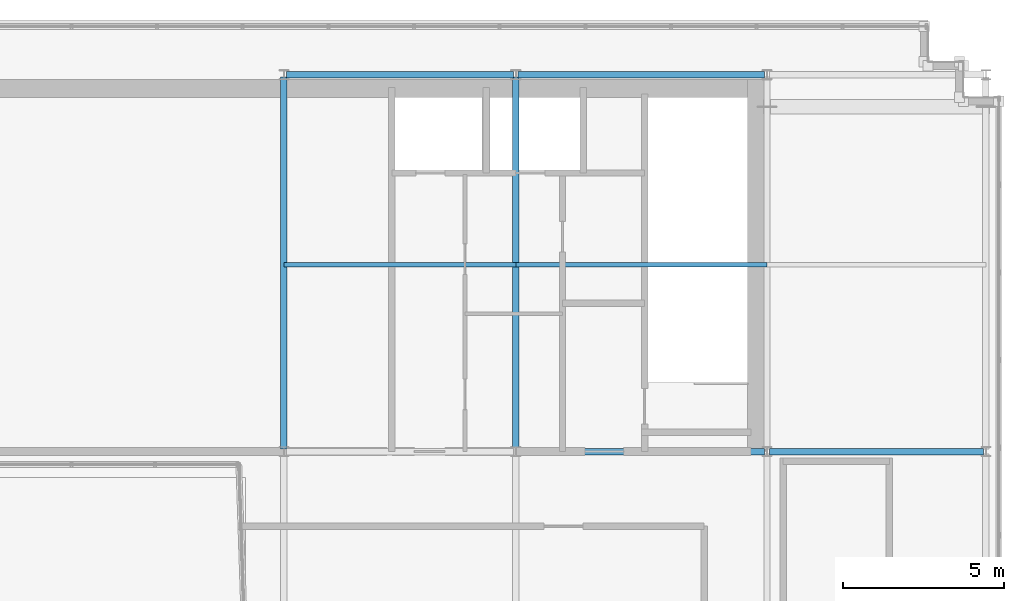
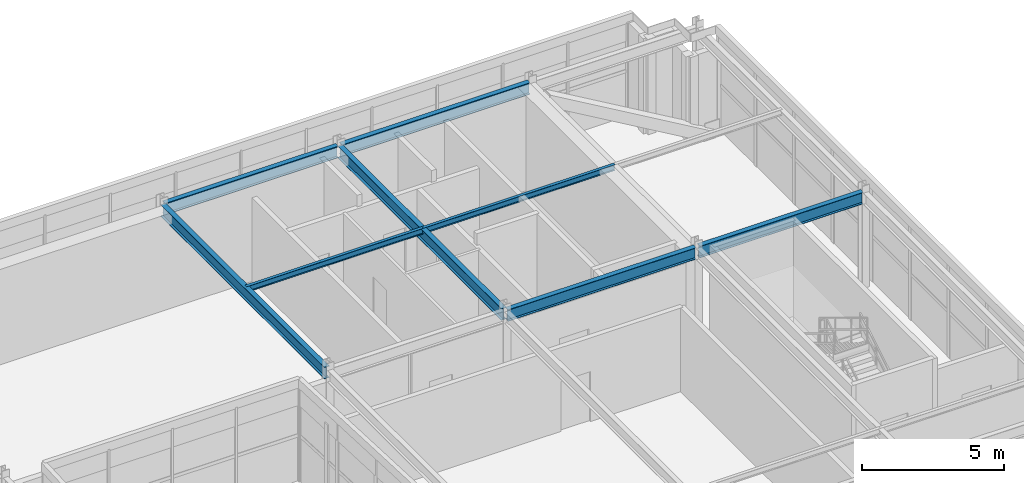
# One storey, part 21 of 37: 6 beams, 2 members.
"""IFC4 building model written with IfcOpenShell, lengths in metres."""

from ifc_helpers import new_model, si_unit, direction, frame, origin, origin_2d, place, context, subcontext, project, spatial, i_section, extrude, source, transform, mapped, material, material_profile, profile_set, type_object, element, save


model = new_model("IFC4")

# Units and contexts
model_context = context("Model", 3, precision=1e-05, world=origin(), true_north=direction((0.0, 1.0)))
body_context = subcontext(model_context, "Body", "Model", "MODEL_VIEW")
ifc_project = project(units=[si_unit("LENGTHUNIT", "METRE"), si_unit("AREAUNIT", "SQUARE_METRE"), si_unit("VOLUMEUNIT", "CUBIC_METRE"), si_unit("PLANEANGLEUNIT", "RADIAN"), si_unit("MASSUNIT", "GRAM", prefix="KILO")], contexts=[model_context])

# Site, building, storey
site_placement = place(None, origin())
site = spatial("IfcSite", under=ifc_project, at=site_placement, CompositionType="ELEMENT")
building_placement = place(site_placement, origin())
building = spatial("IfcBuilding", under=site, at=building_placement, Name="Trelvane Seafront Commons", CompositionType="ELEMENT")
storey_placement = place(building_placement, frame((0.0, 0.0, 303.5)))
storey = spatial("IfcBuildingStorey", under=building, at=storey_placement, Name="L79", CompositionType="ELEMENT", Elevation=303.5)

# Beams
ifc_material = material(Name="Steel SM355 (S355)", Category="steel")
ifc_material_profile_1 = material_profile(ifc_material, i_section(OverallWidth=0.199951171875, OverallDepth=0.5, WebThickness=0.010009765625, FlangeThickness=0.01611328125, at=origin_2d()), Name="H-500x200x10x16")
ifc_profile_set_1 = profile_set([ifc_material_profile_1], Name="Steel SM355 (S355)")
beam_type_1 = type_object("IfcBeamType", Name="STR-CROWN-FRAME-RING", PredefinedType="SPANDREL", material=ifc_profile_set_1)
shared_shape_1 = source(origin(), body_context, "Body", "SweptSolid", [
    extrude(i_section(OverallWidth=0.199951171875, OverallDepth=0.5, WebThickness=0.010009765625, FlangeThickness=0.01611328125, at=origin_2d()), origin(), (0.0, 0.0, 1.0), 6.64990234375),
])
beam_1_placement = place(storey_placement, frame((58.875, 33.39990234375, 3.85009765625), z_axis=(1.0, 0.0, 0.0), x_axis=(0.0, 1.0, 0.0)))
element("IfcBeam", 1, at=beam_1_placement, inside=storey, type_object=beam_type_1, Name="L79 CROWN FRAME Ring Beam G-14", PredefinedType="SPANDREL", context=body_context, shape_type="MappedRepresentation", body=[
    mapped(shared_shape_1, transform((0.0, 0.0, 0.0), x_axis=(1.0, 0.0, 0.0), y_axis=(0.0, 1.0, 0.0), z_axis=(0.0, 0.0, 1.0), scale=1.0)),
])
shared_shape_2 = source(origin(), body_context, "Body", "SweptSolid", [
    extrude(i_section(OverallWidth=0.199951171875, OverallDepth=0.5, WebThickness=0.010009765625, FlangeThickness=0.01611328125, at=origin_2d()), origin(), (0.0, 0.0, 1.0), 7.050048828125),
])
beam_2_placement = place(storey_placement, frame((43.875, 45.10009765625, 3.85009765625), z_axis=(1.0, 0.0, 0.0), x_axis=(0.0, 1.0, 0.0)))
element("IfcBeam", 2, at=beam_2_placement, inside=storey, type_object=beam_type_1, Name="L79 CROWN FRAME Ring Beam G-19", PredefinedType="SPANDREL", context=body_context, shape_type="MappedRepresentation", body=[
    mapped(shared_shape_2, transform((0.0, 0.0, 0.0), x_axis=(1.0, 0.0, 0.0), y_axis=(0.0, 1.0, 0.0), z_axis=(0.0, 0.0, 1.0), scale=1.0)),
])
shared_shape_3 = source(origin(), body_context, "Body", "SweptSolid", [
    extrude(i_section(OverallWidth=0.199951171875, OverallDepth=0.5, WebThickness=0.010009765625, FlangeThickness=0.01611328125, at=origin_2d()), origin(), (0.0, 0.0, 1.0), 7.650146484375),
])
for number, where, z_axis, x_axis, name in (
    (3, (51.074951171875, 33.39990234375, 3.85009765625), (1.0, 0.0, 0.0), (0.0, 1.0, 0.0), "L79 CROWN FRAME Ring Beam G-13"),
    (4, (51.074951171875, 45.10009765625, 3.85009765625), (1.0, 0.0, 0.0), (0.0, 1.0, 0.0), "L79 CROWN FRAME Ring Beam G-20"),
):
    element("IfcBeam", number, at=place(storey_placement, frame(where, z_axis=z_axis, x_axis=x_axis)), inside=storey, type_object=beam_type_1, Name=name, PredefinedType="SPANDREL", context=body_context, shape_type="MappedRepresentation", body=[
        mapped(shared_shape_3, transform((0.0, 0.0, 0.0), x_axis=(1.0, 0.0, 0.0), y_axis=(0.0, 1.0, 0.0), z_axis=(0.0, 0.0, 1.0), scale=1.0)),
    ])
ifc_material_profile_2 = material_profile(ifc_material, i_section(OverallWidth=0.199951171875, OverallDepth=0.5, WebThickness=0.010009765625, FlangeThickness=0.01611328125, at=origin_2d()), Name="H-500x200x10x16")
ifc_profile_set_2 = profile_set([ifc_material_profile_2], Name="Steel SM355 (S355)")
beam_type_2 = type_object("IfcBeamType", Name="STR-BM-H500", PredefinedType="BEAM", material=ifc_profile_set_2)
shared_shape_4 = source(origin(), body_context, "Body", "SweptSolid", [
    extrude(i_section(OverallWidth=0.199951171875, OverallDepth=0.5, WebThickness=0.010009765625, FlangeThickness=0.01611328125, at=origin_2d()), origin(), (0.0, 0.0, 1.0), 11.5498046875),
])
for number, where, z_axis, x_axis, name in (
    (5, (43.800048828125, 33.47509765625, 3.85009765625), (0.0, 1.0, 0.0), (-1.0, 0.0, 0.0), "L79 Primary Girder G-31"),
    (6, (51.0, 33.47509765625, 3.85009765625), (0.0, 1.0, 0.0), (-1.0, 0.0, 0.0), "L79 Primary Girder G-33"),
):
    element("IfcBeam", number, at=place(storey_placement, frame(where, z_axis=z_axis, x_axis=x_axis)), inside=storey, type_object=beam_type_2, Name=name, PredefinedType="BEAM", context=body_context, shape_type="MappedRepresentation", body=[
        mapped(shared_shape_4, transform((0.0, 0.0, 0.0), x_axis=(1.0, 0.0, 0.0), y_axis=(0.0, 1.0, 0.0), z_axis=(0.0, 0.0, 1.0), scale=1.0)),
    ])

# Members
ifc_material_profile_3 = material_profile(ifc_material, i_section(OverallWidth=0.125, OverallDepth=0.25, WebThickness=0.006103515625, FlangeThickness=0.009033203125, at=origin_2d()), Name="H-250x125x6x9")
ifc_profile_set_3 = profile_set([ifc_material_profile_3], Name="Steel SM355 (S355)")
member_type = type_object("IfcMemberType", Name="STR-PUR-H250", PredefinedType="PURLIN", material=ifc_profile_set_3)
shared_shape_5 = source(origin(), body_context, "Body", "SweptSolid", [
    extrude(i_section(OverallWidth=0.125, OverallDepth=0.25, WebThickness=0.006103515625, FlangeThickness=0.009033203125, at=origin_2d()), origin(), (0.0, 0.0, 1.0), 7.199951171875),
])
member_1_placement = place(storey_placement, frame((43.800048828125, 39.199951171875, 3.97509765625), z_axis=(1.0, 0.0, 0.0), x_axis=(0.0, 1.0, 0.0)))
element("IfcMember", 7, at=member_1_placement, inside=storey, type_object=member_type, Name="L79 Crown Roof Purlin PR-2", PredefinedType="PURLIN", context=body_context, shape_type="MappedRepresentation", body=[
    mapped(shared_shape_5, transform((0.0, 0.0, 0.0), x_axis=(1.0, 0.0, 0.0), y_axis=(0.0, 1.0, 0.0), z_axis=(0.0, 0.0, 1.0), scale=1.0)),
])
shared_shape_6 = source(origin(), body_context, "Body", "SweptSolid", [
    extrude(i_section(OverallWidth=0.125, OverallDepth=0.25, WebThickness=0.006103515625, FlangeThickness=0.009033203125, at=origin_2d()), origin(), (0.0, 0.0, 1.0), 7.800048828125),
])
member_2_placement = place(storey_placement, frame((51.0, 39.199951171875, 3.97509765625), z_axis=(1.0, 0.0, 0.0), x_axis=(0.0, 1.0, 0.0)))
element("IfcMember", 8, at=member_2_placement, inside=storey, type_object=member_type, Name="L79 Crown Roof Purlin PR-2", PredefinedType="PURLIN", context=body_context, shape_type="MappedRepresentation", body=[
    mapped(shared_shape_6, transform((0.0, 0.0, 0.0), x_axis=(1.0, 0.0, 0.0), y_axis=(0.0, 1.0, 0.0), z_axis=(0.0, 0.0, 1.0), scale=1.0)),
])

save(model, "model.ifc")
